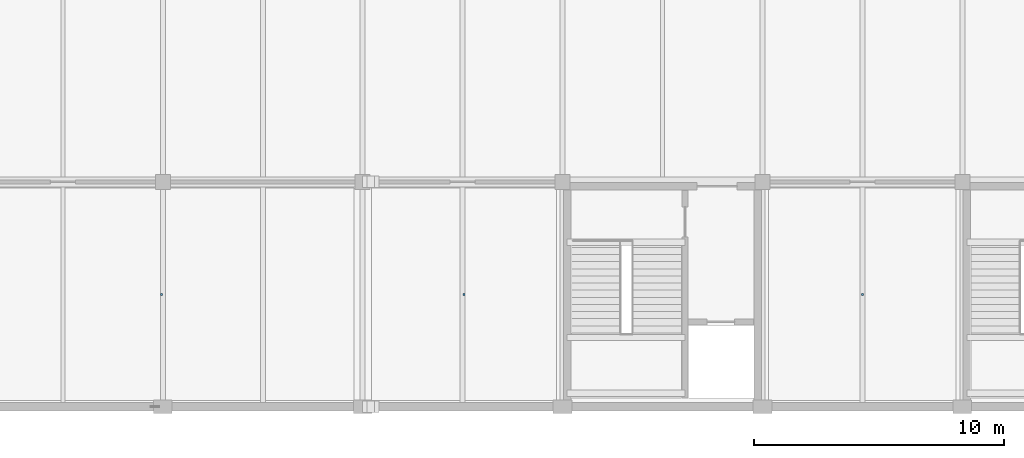
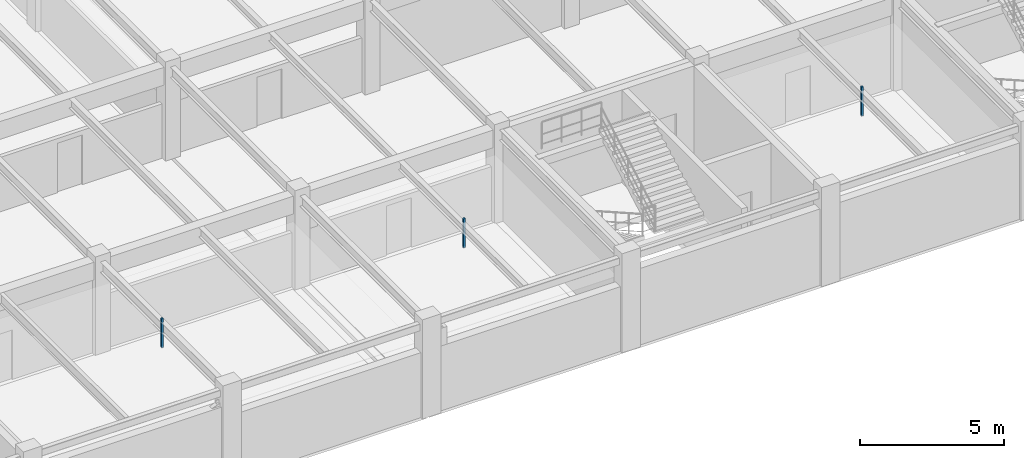
# One storey, part 109 of 126: 3 discrete accessories.
"""IFC4 building model written with IfcOpenShell, lengths in metres."""

from ifc_helpers import new_model, si_unit, direction, frame, origin, origin_2d, place, context, subcontext, project, spatial, rectangle, extrude, material, layer, layer_set, type_object, element, save


model = new_model("IFC4")

# Units and contexts
model_context = context("Model", 3, precision=1e-05, world=origin(), true_north=direction((0.0, 1.0)))
body_context = subcontext(model_context, "Body", "Model", "MODEL_VIEW")
ifc_project = project(units=[si_unit("LENGTHUNIT", "METRE"), si_unit("AREAUNIT", "SQUARE_METRE"), si_unit("VOLUMEUNIT", "CUBIC_METRE"), si_unit("PLANEANGLEUNIT", "RADIAN"), si_unit("MASSUNIT", "GRAM", prefix="KILO")], contexts=[model_context])

# Site, building, storey
site_placement = place(None, origin())
site = spatial("IfcSite", under=ifc_project, at=site_placement, CompositionType="ELEMENT")
building_placement = place(site_placement, origin())
building = spatial("IfcBuilding", under=site, at=building_placement, Name="Varnabhumi Central Station", CompositionType="ELEMENT")
storey_placement = place(building_placement, frame((0.0, 0.0, 16.199951171875)))
storey = spatial("IfcBuildingStorey", under=building, at=storey_placement, Name="L03", CompositionType="ELEMENT", Elevation=16.199951171875)

# Discrete accessories
ifc_material = material(Name="Structural steel E350", Category="steel")
ifc_layer = layer(ifc_material, 0.159912109375, Name="Structural steel E350", Category="steel")
ifc_layer_set = layer_set([ifc_layer], Name="Structural steel E350")
discrete_accessory_type = type_object("IfcDiscreteAccessoryType", Name="ACC-SHADE-BRKT", PredefinedType="BRACKET", material=ifc_layer_set)
for number, where, z_axis, x_axis, name in (
    (1, (84.0, 4.5, 2.840087890625), (0.0, 0.0, 1.0), (1.0, 0.0, 0.0), "Integrated CCTV and Security Analytics Room Ceiling Hanger"),
    (2, (55.949951171875, 4.5, 2.840087890625), (0.0, 0.0, 1.0), (1.0, 0.0, 0.0), "Railway Security Radio Control Room Ceiling Hanger"),
    (3, (68.050048828125, 4.5, 2.840087890625), (0.0, 0.0, 1.0), (1.0, 0.0, 0.0), "Railway Security Radio Control Room Ceiling Hanger"),
):
    element("IfcDiscreteAccessory", number, at=place(storey_placement, frame(where, z_axis=z_axis, x_axis=x_axis)), inside=storey, type_object=discrete_accessory_type, Name=name, PredefinedType="BRACKET", context=body_context, shape_type="SweptSolid", body=[
        extrude(rectangle(XDim=0.080078125, YDim=0.080078125, at=origin_2d()), origin(), (0.0, 0.0, 1.0), 1.22998046875),
    ])

save(model, "model.ifc")
